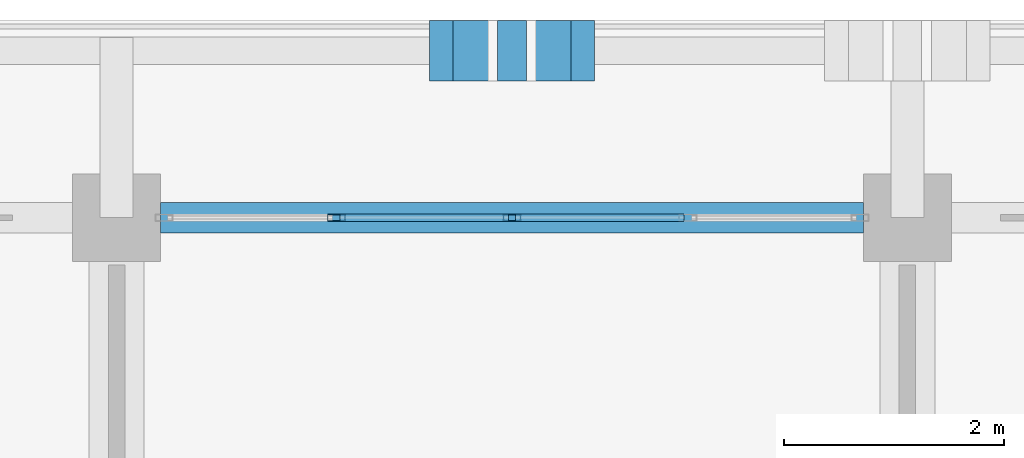
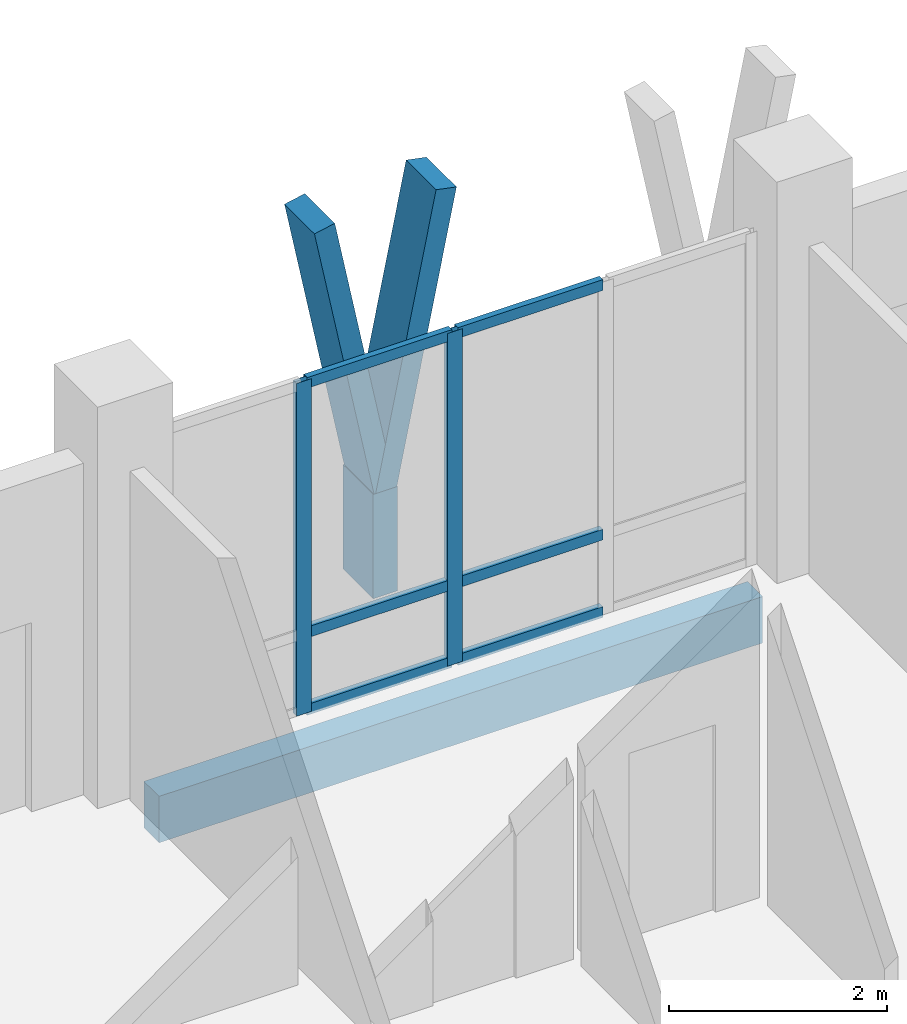
# One storey, part 33 of 110: 11 members, 1 beam, 1 element without a shape of its own.
"""IFC4 building model written with IfcOpenShell, lengths in metres."""

from ifc_helpers import new_model, si_unit, direction, frame, origin, origin_2d, place, context, subcontext, project, spatial, rectangle, hollow_rectangle, extrude, material, material_profile, profile_set, type_object, element, aggregate, save


model = new_model("IFC4")

# Units and contexts
model_context = context("Model", 3, precision=1e-05, world=origin(), true_north=direction((0.0, 1.0)))
body_context = subcontext(model_context, "Body", "Model", "MODEL_VIEW")
ifc_project = project(units=[si_unit("LENGTHUNIT", "METRE"), si_unit("AREAUNIT", "SQUARE_METRE"), si_unit("VOLUMEUNIT", "CUBIC_METRE"), si_unit("PLANEANGLEUNIT", "RADIAN"), si_unit("MASSUNIT", "GRAM", prefix="KILO")], contexts=[model_context])

# Site, building, storey
site_placement = place(None, origin())
site = spatial("IfcSite", under=ifc_project, at=site_placement, CompositionType="ELEMENT")
building_placement = place(site_placement, origin())
building = spatial("IfcBuilding", under=site, at=building_placement, Name="Suanplinth Sawtooth Commons", CompositionType="ELEMENT")
storey_placement = place(building_placement, frame((0.0, 0.0, 4.5)))
storey = spatial("IfcBuildingStorey", under=building, at=storey_placement, Name="L01", CompositionType="ELEMENT", Elevation=4.5)

# Beam
ifc_material_1 = material(Name="Precast concrete C40/50", Category="concrete")
ifc_material_profile_1 = material_profile(ifc_material_1, rectangle(XDim=0.280029296875, YDim=0.52001953125, at=origin_2d()), Name="PC-SP 280x520")
ifc_profile_set_1 = profile_set([ifc_material_profile_1], Name="Precast concrete C40/50")
beam_type = type_object("IfcBeamType", Name="B-08", PredefinedType="SPANDREL", material=ifc_profile_set_1)
beam_placement = place(storey_placement, frame((58.0, 122.39990234375, -0.56005859375), z_axis=(1.0, 0.0, 0.0), x_axis=(0.0, 1.0, 0.0)))
element("IfcBeam", 1, at=beam_placement, inside=storey, type_object=beam_type, Name="BMX-L01-A-8-17", PredefinedType="SPANDREL", context=body_context, shape_type="SweptSolid", body=[
    extrude(rectangle(XDim=0.280029296875, YDim=0.52001953125, at=origin_2d()), origin(), (0.0, 0.0, 1.0), 6.39990234375),
])

# Members
ifc_material_2 = material(Name="Pigmented precast concrete C40/50", Category="concrete")
ifc_material_profile_2 = material_profile(ifc_material_2, rectangle(XDim=0.260009765625, YDim=0.550048828125, at=origin_2d()), Name="PC-FIN 260x550")
ifc_profile_set_2 = profile_set([ifc_material_profile_2], Name="Pigmented precast concrete C40/50")
member_type_1 = type_object("IfcMemberType", Name="M-09", PredefinedType="USERDEFINED", material=ifc_profile_set_2)
member_1_placement = place(storey_placement, frame((61.199951171875, 123.919921875, 0.0), z_axis=(0.0, 0.0, 1.0), x_axis=(1.0, 0.0, 0.0)))
element("IfcMember", 2, at=member_1_placement, inside=storey, type_object=member_type_1, Name="Y-Blade Stem L01-A-N-06", ObjectType="SHADING FIN", PredefinedType="USERDEFINED", context=body_context, shape_type="SweptSolid", body=[
    extrude(rectangle(XDim=0.260009765625, YDim=0.550048828125, at=origin_2d()), origin(), (0.0, 0.0, 1.0), 1.169921875),
])
ifc_material_profile_3 = material_profile(ifc_material_2, rectangle(XDim=0.219970703125, YDim=0.550048828125, at=origin_2d()), Name="PC-FIN 220x550")
ifc_profile_set_3 = profile_set([ifc_material_profile_3], Name="Pigmented precast concrete C40/50")
member_type_2 = type_object("IfcMemberType", Name="M-10", PredefinedType="USERDEFINED", material=ifc_profile_set_3)
member_2_placement = place(storey_placement, frame((61.199951171875, 123.919921875, 1.1298828125), z_axis=(-0.197510991436, 0.0, 0.980300672377), x_axis=(0.980300672377, 0.0, 0.197510991436)))
element("IfcMember", 3, at=member_2_placement, inside=storey, type_object=member_type_2, Name="Y-Blade Arm L L01-A-N-06", ObjectType="SHADING FIN", PredefinedType="USERDEFINED", context=body_context, shape_type="SweptSolid", body=[
    extrude(rectangle(XDim=0.219970703125, YDim=0.550048828125, at=origin_2d()), origin(), (0.0, 0.0, 1.0), 3.264404296875),
])
member_3_placement = place(storey_placement, frame((61.199951171875, 123.919921875, 1.1298828125), z_axis=(0.197582858822, 0.0, 0.980286189793), x_axis=(-0.980286189793, 0.0, 0.197582858822)))
element("IfcMember", 4, at=member_3_placement, inside=storey, type_object=member_type_2, Name="Y-Blade Arm R L01-A-N-06", ObjectType="SHADING FIN", PredefinedType="USERDEFINED", context=body_context, shape_type="SweptSolid", body=[
    extrude(rectangle(XDim=0.219970703125, YDim=0.550048828125, at=origin_2d()), origin(), (0.0, 0.0, 1.0), 3.2646484375),
])

# Curtain wall, members
ifc_material_3 = material(Name="Anodized aluminium and low-E glazing", Category="aluminium")
curtain_wall_type = type_object("IfcCurtainWallType", Name="CW-06", PredefinedType="USERDEFINED", material=ifc_material_3)
curtain_wall_placement = place(storey_placement, origin())
curtain_wall = element("IfcCurtainWall", 5, at=curtain_wall_placement, inside=storey, type_object=curtain_wall_type, Name="Curtain Wall CW-L01-A-LOUNGE-8", ObjectType="CURTAIN WALL", PredefinedType="USERDEFINED")
ifc_material_4 = material(Name="Anodized aluminium 6063-T6", Category="aluminium")
ifc_material_profile_4 = material_profile(ifc_material_4, hollow_rectangle(XDim=0.06494140625, YDim=0.159912109375, WallThickness=0.00390625, at=origin_2d()), Name="ALU-MUL 65x160")
ifc_profile_set_4 = profile_set([ifc_material_profile_4], Name="Anodized aluminium 6063-T6")
member_type_3 = type_object("IfcMemberType", Name="M-13", PredefinedType="MULLION", material=ifc_profile_set_4)
member_4_placement = place(storey_placement, frame((59.60009765625, 122.39990234375, 0.0), z_axis=(0.0, 0.0, 1.0), x_axis=(0.0, 1.0, 0.0)))
member_4 = element("IfcMember", 6, at=member_4_placement, type_object=member_type_3, Name="CW-06 mullion 2", PredefinedType="MULLION", context=body_context, shape_type="SweptSolid", body=[
    extrude(hollow_rectangle(XDim=0.06494140625, YDim=0.159912109375, WallThickness=0.00390625, at=origin_2d()), origin(), (0.0, 0.0, 1.0), 3.72998046875),
])
member_5_placement = place(storey_placement, frame((61.199951171875, 122.39990234375, 0.0), z_axis=(0.0, 0.0, 1.0), x_axis=(0.0, 1.0, 0.0)))
member_5 = element("IfcMember", 7, at=member_5_placement, type_object=member_type_3, Name="CW-06 mullion 3", PredefinedType="MULLION", context=body_context, shape_type="SweptSolid", body=[
    extrude(hollow_rectangle(XDim=0.06494140625, YDim=0.159912109375, WallThickness=0.00390625, at=origin_2d()), origin(), (0.0, 0.0, 1.0), 3.72998046875),
])
ifc_material_profile_5 = material_profile(ifc_material_4, hollow_rectangle(XDim=0.06494140625, YDim=0.1201171875, WallThickness=0.00390625, at=origin_2d()), Name="ALU-TRN 65x120")
ifc_profile_set_5 = profile_set([ifc_material_profile_5], Name="Anodized aluminium 6063-T6")
member_type_4 = type_object("IfcMemberType", Name="M-15", PredefinedType="USERDEFINED", material=ifc_profile_set_5)
member_6_placement = place(storey_placement, frame((59.632568359375, 122.39990234375, 0.032470703125), z_axis=(1.0, 0.0, 0.0), x_axis=(0.0, 1.0, 0.0)))
member_6 = element("IfcMember", 8, at=member_6_placement, type_object=member_type_4, Name="CW-06 transom 2.1", ObjectType="TRANSOM", PredefinedType="USERDEFINED", context=body_context, shape_type="SweptSolid", body=[
    extrude(hollow_rectangle(XDim=0.06494140625, YDim=0.1201171875, WallThickness=0.00390625, at=origin_2d()), origin(), (0.0, 0.0, 1.0), 1.534912109375),
])
member_7_placement = place(storey_placement, frame((59.632568359375, 122.39990234375, 0.89990234375), z_axis=(1.0, 0.0, 0.0), x_axis=(0.0, 1.0, 0.0)))
member_7 = element("IfcMember", 9, at=member_7_placement, type_object=member_type_4, Name="CW-06 transom 2.2", ObjectType="TRANSOM", PredefinedType="USERDEFINED", context=body_context, shape_type="SweptSolid", body=[
    extrude(hollow_rectangle(XDim=0.06494140625, YDim=0.1201171875, WallThickness=0.00390625, at=origin_2d()), origin(), (0.0, 0.0, 1.0), 1.534912109375),
])
member_8_placement = place(storey_placement, frame((59.632568359375, 122.39990234375, 3.697509765625), z_axis=(1.0, 0.0, 0.0), x_axis=(0.0, 1.0, 0.0)))
member_8 = element("IfcMember", 10, at=member_8_placement, type_object=member_type_4, Name="CW-06 transom 2.3", ObjectType="TRANSOM", PredefinedType="USERDEFINED", context=body_context, shape_type="SweptSolid", body=[
    extrude(hollow_rectangle(XDim=0.06494140625, YDim=0.1201171875, WallThickness=0.00390625, at=origin_2d()), origin(), (0.0, 0.0, 1.0), 1.534912109375),
])
member_9_placement = place(storey_placement, frame((61.232421875, 122.39990234375, 0.032470703125), z_axis=(1.0, 0.0, 0.0), x_axis=(0.0, 1.0, 0.0)))
member_9 = element("IfcMember", 11, at=member_9_placement, type_object=member_type_4, Name="CW-06 transom 3.1", ObjectType="TRANSOM", PredefinedType="USERDEFINED", context=body_context, shape_type="SweptSolid", body=[
    extrude(hollow_rectangle(XDim=0.06494140625, YDim=0.1201171875, WallThickness=0.00390625, at=origin_2d()), origin(), (0.0, 0.0, 1.0), 1.53515625),
])
member_10_placement = place(storey_placement, frame((61.232421875, 122.39990234375, 0.89990234375), z_axis=(1.0, 0.0, 0.0), x_axis=(0.0, 1.0, 0.0)))
member_10 = element("IfcMember", 12, at=member_10_placement, type_object=member_type_4, Name="CW-06 transom 3.2", ObjectType="TRANSOM", PredefinedType="USERDEFINED", context=body_context, shape_type="SweptSolid", body=[
    extrude(hollow_rectangle(XDim=0.06494140625, YDim=0.1201171875, WallThickness=0.00390625, at=origin_2d()), origin(), (0.0, 0.0, 1.0), 1.53515625),
])
member_11_placement = place(storey_placement, frame((61.232421875, 122.39990234375, 3.697509765625), z_axis=(1.0, 0.0, 0.0), x_axis=(0.0, 1.0, 0.0)))
member_11 = element("IfcMember", 13, at=member_11_placement, type_object=member_type_4, Name="CW-06 transom 3.3", ObjectType="TRANSOM", PredefinedType="USERDEFINED", context=body_context, shape_type="SweptSolid", body=[
    extrude(hollow_rectangle(XDim=0.06494140625, YDim=0.1201171875, WallThickness=0.00390625, at=origin_2d()), origin(), (0.0, 0.0, 1.0), 1.53515625),
])
aggregate(curtain_wall, [member_4, member_5, member_6, member_7, member_8, member_9, member_10, member_11])

save(model, "model.ifc")
